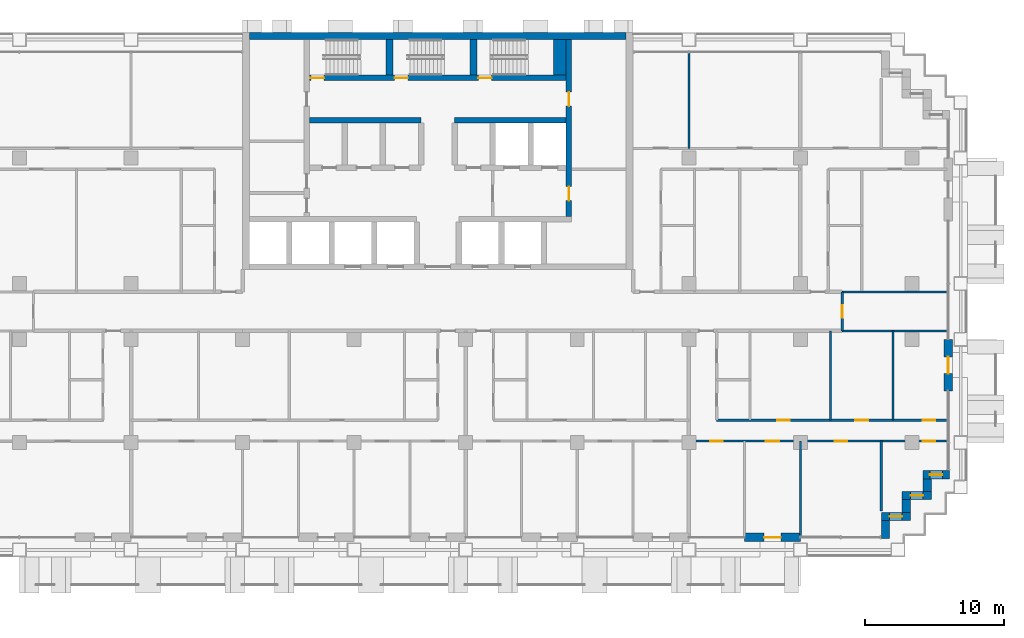
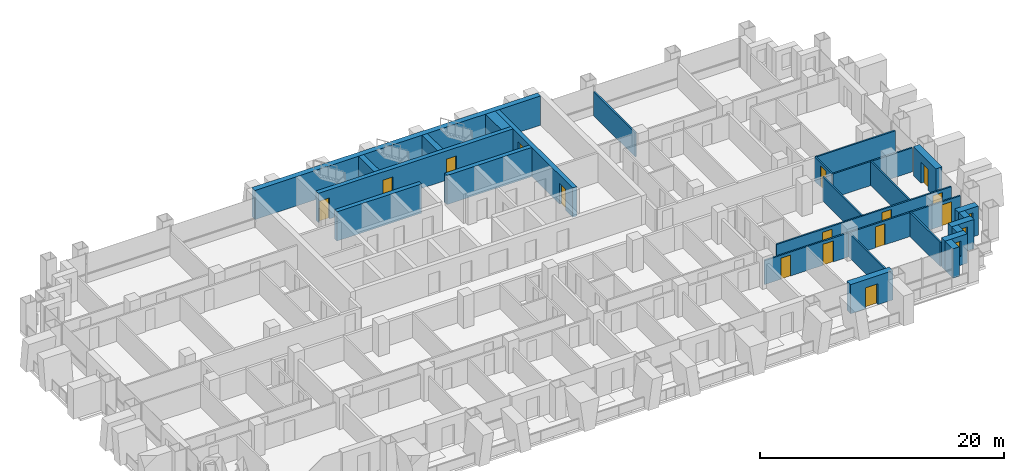
# One storey, part 13 of 18: 26 walls, 15 doors, 3 windows, 18 openings.
"""IFC4 building model written with IfcOpenShell, lengths in metres."""

from ifc_helpers import new_model, si_unit, direction, frame, frame_2d, origin, place, context, subcontext, project, spatial, rectangle, extrude, material, layer, layer_set, type_object, element, fill, save


model = new_model("IFC4")

# Units and contexts
model_context = context("Model", 3, precision=1e-05, world=origin(), true_north=direction((0.0, 1.0)))
body_context = subcontext(model_context, "Body", "Model", "MODEL_VIEW")
ifc_project = project(units=[si_unit("LENGTHUNIT", "METRE"), si_unit("AREAUNIT", "SQUARE_METRE"), si_unit("VOLUMEUNIT", "CUBIC_METRE"), si_unit("PLANEANGLEUNIT", "RADIAN"), si_unit("MASSUNIT", "GRAM", prefix="KILO")], contexts=[model_context])

# Site, building, storey
site_placement = place(None, origin())
site = spatial("IfcSite", under=ifc_project, at=site_placement, CompositionType="ELEMENT")
building_placement = place(site_placement, origin())
building = spatial("IfcBuilding", under=site, at=building_placement, Name="Vidyagriha Tower", CompositionType="ELEMENT")
storey_placement = place(building_placement, frame((0.0, 0.0, 41.60009765625)))
storey = spatial("IfcBuildingStorey", under=building, at=storey_placement, Name="L10", CompositionType="ELEMENT", Elevation=41.60009765625)

# Wall, opening, door
ifc_material_1 = material(Name="Precast concrete C40/50 with brick facing", Category="concrete")
ifc_layer_1 = layer(ifc_material_1, 0.60009765625)
ifc_layer_set_1 = layer_set([ifc_layer_1], Name="Precast concrete C40/50 with brick facing")
wall_type_1 = type_object("IfcWallType", Name="Brick-faced precast wall 600", PredefinedType="STANDARD", material=ifc_layer_set_1)
wall_1_placement = place(storey_placement, frame((22.0, -16.199951171875, 0.0)))
wall_1 = element("IfcWall", 1, at=wall_1_placement, inside=storey, type_object=wall_type_1, Name="Brick door bay wall L10 R23.15", PredefinedType="STANDARD", context=body_context, shape_type="SweptSolid", body=[
    extrude(rectangle(XDim=4.0, YDim=0.60009765625, at=frame_2d((2.0, 0.0))), origin(), (0.0, 0.0, 1.0), 2.919921875),
])
opening_1_placement = place(wall_1_placement, frame((1.39990234375, 0.0, 0.0)))
opening_1 = element("IfcOpeningElement", 2, at=opening_1_placement, cuts=wall_1, Name="Opening D10-85", PredefinedType="OPENING", context=body_context, shape_type="SweptSolid", body=[
    extrude(rectangle(XDim=1.199951171875, YDim=2.10009765625, at=frame_2d((0.60009765625, 1.050048828125))), frame((0.0, 0.31005859375, 0.0), z_axis=(0.0, -1.0, 0.0), x_axis=(1.0, 0.0, 0.0)), (0.0, 0.0, 1.0), 0.6201171875),
])
ifc_material_2 = material(Name="Aluminium framed glazed sliding door", Category="aluminium")
door_type_1 = type_object("IfcDoorType", Name="Balcony sliding door 1200x2100", OperationType="NOTDEFINED", PredefinedType="DOOR", material=ifc_material_2)
door_1_placement = place(opening_1_placement, origin())
door_1 = element("IfcDoor", 3, at=door_1_placement, inside=storey, type_object=door_type_1, Name="Door D10-85", OperationType="SLIDING_TO_LEFT", OverallHeight=2.10009765625, OverallWidth=1.199951171875, PredefinedType="DOOR", context=body_context, shape_type="SweptSolid", body=[
    extrude(rectangle(XDim=1.199951171875, YDim=2.10009765625, at=frame_2d((0.60009765625, 1.050048828125))), frame((0.0, 0.02490234375, 0.0), z_axis=(0.0, -1.0, 0.0), x_axis=(1.0, 0.0, 0.0)), (0.0, 0.0, 1.0), 0.050048828125),
])
fill(opening_1, door_1)

# Wall
wall_2_placement = place(storey_placement, frame((32.10009765625, -16.280029296875, 0.0), z_axis=(0.0, 0.0, 1.0), x_axis=(0.0, 1.0, 0.0)))
element("IfcWall", 4, at=wall_2_placement, inside=storey, type_object=wall_type_1, Name="Stepped corner wall L10 R24", PredefinedType="STANDARD", context=body_context, shape_type="SweptSolid", body=[
    extrude(rectangle(XDim=1.280029296875, YDim=0.60009765625, at=frame_2d((0.64013671875, 0.0))), origin(), (0.0, 0.0, 1.0), 2.919921875),
])

# Wall, opening, window
wall_3_placement = place(storey_placement, frame((31.800048828125, -14.699951171875, 0.0)))
wall_3 = element("IfcWall", 5, at=wall_3_placement, inside=storey, type_object=wall_type_1, Name="Stepped corner wall L10 R25", PredefinedType="STANDARD", context=body_context, shape_type="SweptSolid", body=[
    extrude(rectangle(XDim=2.099853515625, YDim=0.60009765625, at=frame_2d((1.0498046875, 0.0))), origin(), (0.0, 0.0, 1.0), 2.919921875),
])
opening_2_placement = place(wall_3_placement, frame((0.60009765625, 0.0, 0.89990234375)))
opening_2 = element("IfcOpeningElement", 6, at=opening_2_placement, cuts=wall_3, Name="Opening WN1", PredefinedType="OPENING", context=body_context, shape_type="SweptSolid", body=[
    extrude(rectangle(XDim=0.89990234375, YDim=1.5, at=frame_2d((0.449951171875, 0.75))), frame((0.0, 0.31005859375, 0.0), z_axis=(0.0, -1.0, 0.0), x_axis=(1.0, 0.0, 0.0)), (0.0, 0.0, 1.0), 0.6201171875),
])
ifc_material_3 = material(Name="Aluminium and glass window", Category="aluminium")
window_type = type_object("IfcWindowType", Name="Reveal window 900x1500", PartitioningType="NOTDEFINED", PredefinedType="WINDOW", material=ifc_material_3)
window_1_placement = place(opening_2_placement, origin())
window_1 = element("IfcWindow", 7, at=window_1_placement, inside=storey, type_object=window_type, Name="Reveal window L10 R25", OverallHeight=1.5, OverallWidth=0.89990234375, PartitioningType="SINGLE_PANEL", PredefinedType="WINDOW", context=body_context, shape_type="SweptSolid", body=[
    extrude(rectangle(XDim=0.89990234375, YDim=1.5, at=frame_2d((0.449951171875, 0.75))), frame((0.0, 0.030029296875, 0.0), z_axis=(0.0, -1.0, 0.0), x_axis=(1.0, 0.0, 0.0)), (0.0, 0.0, 1.0), 0.06005859375),
])
fill(opening_2, window_1)

# Wall
wall_4_placement = place(storey_placement, frame((33.60009765625, -14.39990234375, 0.0), z_axis=(0.0, 0.0, 1.0), x_axis=(0.0, 1.0, 0.0)))
element("IfcWall", 8, at=wall_4_placement, inside=storey, type_object=wall_type_1, Name="Stepped corner wall L10 R26", PredefinedType="STANDARD", context=body_context, shape_type="SweptSolid", body=[
    extrude(rectangle(XDim=0.89990234375, YDim=0.60009765625, at=frame_2d((0.449951171875, 0.0))), origin(), (0.0, 0.0, 1.0), 2.919921875),
])

# Wall, opening, window
wall_5_placement = place(storey_placement, frame((33.300048828125, -13.199951171875, 0.0)))
wall_5 = element("IfcWall", 9, at=wall_5_placement, inside=storey, type_object=wall_type_1, Name="Stepped corner wall L10 R27", PredefinedType="STANDARD", context=body_context, shape_type="SweptSolid", body=[
    extrude(rectangle(XDim=2.099853515625, YDim=0.60009765625, at=frame_2d((1.0498046875, 0.0))), origin(), (0.0, 0.0, 1.0), 2.919921875),
])
opening_3_placement = place(wall_5_placement, frame((0.60009765625, 0.0, 0.89990234375)))
opening_3 = element("IfcOpeningElement", 10, at=opening_3_placement, cuts=wall_5, Name="Opening WN1", PredefinedType="OPENING", context=body_context, shape_type="SweptSolid", body=[
    extrude(rectangle(XDim=0.89990234375, YDim=1.5, at=frame_2d((0.449951171875, 0.75))), frame((0.0, 0.31005859375, 0.0), z_axis=(0.0, -1.0, 0.0), x_axis=(1.0, 0.0, 0.0)), (0.0, 0.0, 1.0), 0.6201171875),
])
window_2_placement = place(opening_3_placement, origin())
window_2 = element("IfcWindow", 11, at=window_2_placement, inside=storey, type_object=window_type, Name="Reveal window L10 R27", OverallHeight=1.5, OverallWidth=0.89990234375, PartitioningType="SINGLE_PANEL", PredefinedType="WINDOW", context=body_context, shape_type="SweptSolid", body=[
    extrude(rectangle(XDim=0.89990234375, YDim=1.5, at=frame_2d((0.449951171875, 0.75))), frame((0.0, 0.030029296875, 0.0), z_axis=(0.0, -1.0, 0.0), x_axis=(1.0, 0.0, 0.0)), (0.0, 0.0, 1.0), 0.06005859375),
])
fill(opening_3, window_2)

# Wall
wall_6_placement = place(storey_placement, frame((35.10009765625, -12.89990234375, 0.0), z_axis=(0.0, 0.0, 1.0), x_axis=(0.0, 1.0, 0.0)))
element("IfcWall", 12, at=wall_6_placement, inside=storey, type_object=wall_type_1, Name="Stepped corner wall L10 R28", PredefinedType="STANDARD", context=body_context, shape_type="SweptSolid", body=[
    extrude(rectangle(XDim=0.89990234375, YDim=0.60009765625, at=frame_2d((0.449951171875, 0.0))), origin(), (0.0, 0.0, 1.0), 2.919921875),
])

# Wall, opening, window
wall_7_placement = place(storey_placement, frame((34.800048828125, -11.699951171875, 0.0)))
wall_7 = element("IfcWall", 13, at=wall_7_placement, inside=storey, type_object=wall_type_1, Name="Stepped corner wall L10 R29", PredefinedType="STANDARD", context=body_context, shape_type="SweptSolid", body=[
    extrude(rectangle(XDim=1.8798828125, YDim=0.60009765625, at=frame_2d((0.93994140625, 0.0))), origin(), (0.0, 0.0, 1.0), 2.919921875),
])
opening_4_placement = place(wall_7_placement, frame((0.489990234375, 0.0, 0.89990234375)))
opening_4 = element("IfcOpeningElement", 14, at=opening_4_placement, cuts=wall_7, Name="Opening WN1", PredefinedType="OPENING", context=body_context, shape_type="SweptSolid", body=[
    extrude(rectangle(XDim=0.89990234375, YDim=1.5, at=frame_2d((0.449951171875, 0.75))), frame((0.0, 0.31005859375, 0.0), z_axis=(0.0, -1.0, 0.0), x_axis=(1.0, 0.0, 0.0)), (0.0, 0.0, 1.0), 0.6201171875),
])
window_3_placement = place(opening_4_placement, origin())
window_3 = element("IfcWindow", 15, at=window_3_placement, inside=storey, type_object=window_type, Name="Reveal window L10 R29", OverallHeight=1.5, OverallWidth=0.89990234375, PartitioningType="SINGLE_PANEL", PredefinedType="WINDOW", context=body_context, shape_type="SweptSolid", body=[
    extrude(rectangle(XDim=0.89990234375, YDim=1.5, at=frame_2d((0.449951171875, 0.75))), frame((0.0, 0.030029296875, 0.0), z_axis=(0.0, -1.0, 0.0), x_axis=(1.0, 0.0, 0.0)), (0.0, 0.0, 1.0), 0.06005859375),
])
fill(opening_4, window_3)

# Wall, opening, door
wall_8_placement = place(storey_placement, frame((36.60009765625, -5.699951171875, 0.0), z_axis=(0.0, 0.0, 1.0), x_axis=(0.0, 1.0, 0.0)))
wall_8 = element("IfcWall", 16, at=wall_8_placement, inside=storey, type_object=wall_type_1, Name="Brick door bay wall L10 R30.3", PredefinedType="STANDARD", context=body_context, shape_type="SweptSolid", body=[
    extrude(rectangle(XDim=3.699951171875, YDim=0.60009765625, at=frame_2d((1.85009765625, 0.0))), origin(), (0.0, 0.0, 1.0), 2.919921875),
])
opening_5_placement = place(wall_8_placement, frame((1.25, 0.0, 0.0)))
opening_5 = element("IfcOpeningElement", 17, at=opening_5_placement, cuts=wall_8, Name="Opening D10-86", PredefinedType="OPENING", context=body_context, shape_type="SweptSolid", body=[
    extrude(rectangle(XDim=1.199951171875, YDim=2.10009765625, at=frame_2d((0.60009765625, 1.050048828125))), frame((0.0, 0.31005859375, 0.0), z_axis=(0.0, -1.0, 0.0), x_axis=(1.0, 0.0, 0.0)), (0.0, 0.0, 1.0), 0.6201171875),
])
door_2_placement = place(opening_5_placement, origin())
door_2 = element("IfcDoor", 18, at=door_2_placement, inside=storey, type_object=door_type_1, Name="Door D10-86", OperationType="SLIDING_TO_LEFT", OverallHeight=2.10009765625, OverallWidth=1.199951171875, PredefinedType="DOOR", context=body_context, shape_type="SweptSolid", body=[
    extrude(rectangle(XDim=1.199951171875, YDim=2.10009765625, at=frame_2d((0.60009765625, 1.050048828125))), frame((0.0, 0.02490234375, 0.0), z_axis=(0.0, -1.0, 0.0), x_axis=(1.0, 0.0, 0.0)), (0.0, 0.0, 1.0), 0.050048828125),
])
fill(opening_5, door_2)

# Wall, openings, doors
ifc_material_4 = material(Name="Concrete C60/75", Category="concrete")
ifc_layer_2 = layer(ifc_material_4, 0.39990234375)
ifc_layer_set_2 = layer_set([ifc_layer_2], Name="Concrete C60/75")
wall_type_2 = type_object("IfcWallType", Name="Core shear wall 400 mm", PredefinedType="SHEAR", material=ifc_layer_set_2)
wall_9_placement = place(storey_placement, frame((9.39990234375, 6.800048828125, 0.0), z_axis=(0.0, 0.0, 1.0), x_axis=(0.0, 1.0, 0.0)))
wall_9 = element("IfcWall", 19, at=wall_9_placement, inside=storey, type_object=wall_type_2, Name="Core east spine wall", PredefinedType="SHEAR", context=body_context, shape_type="SweptSolid", body=[
    extrude(rectangle(XDim=12.699951171875, YDim=0.39990234375, at=frame_2d((6.35009765625, 0.0))), origin(), (0.0, 0.0, 1.0), 2.919921875),
])
opening_6_placement = place(wall_9_placement, frame((1.14990234375, 0.0, 0.0)))
opening_6 = element("IfcOpeningElement", 20, at=opening_6_placement, cuts=wall_9, Name="Opening D10-13", PredefinedType="OPENING", context=body_context, shape_type="SweptSolid", body=[
    extrude(rectangle(XDim=1.0, YDim=2.10009765625, at=frame_2d((0.5, 1.050048828125))), frame((0.0, 0.2099609375, 0.0), z_axis=(0.0, -1.0, 0.0), x_axis=(1.0, 0.0, 0.0)), (0.0, 0.0, 1.0), 0.419921875),
])
opening_7_placement = place(wall_9_placement, frame((7.925048828125, 0.0, 0.0)))
opening_7 = element("IfcOpeningElement", 21, at=opening_7_placement, cuts=wall_9, Name="Opening D10-14", PredefinedType="OPENING", context=body_context, shape_type="SweptSolid", body=[
    extrude(rectangle(XDim=1.0, YDim=2.10009765625, at=frame_2d((0.5, 1.050048828125))), frame((0.0, 0.2099609375, 0.0), z_axis=(0.0, -1.0, 0.0), x_axis=(1.0, 0.0, 0.0)), (0.0, 0.0, 1.0), 0.419921875),
])
ifc_material_5 = material(Name="Hollow metal door leaf")
door_type_2 = type_object("IfcDoorType", Name="Core room door 1000 x 2100 mm EI 60", OperationType="NOTDEFINED", PredefinedType="DOOR", material=ifc_material_5)
door_3_placement = place(opening_6_placement, origin())
door_3 = element("IfcDoor", 22, at=door_3_placement, inside=storey, type_object=door_type_2, Name="Door Pressurisation Plant Room 10.E1", OperationType="SINGLE_SWING_RIGHT", OverallHeight=2.10009765625, OverallWidth=1.0, PredefinedType="DOOR", context=body_context, shape_type="SweptSolid", body=[
    extrude(rectangle(XDim=1.0, YDim=2.10009765625, at=frame_2d((0.5, 1.050048828125))), frame((0.0, 0.02490234375, 0.0), z_axis=(0.0, -1.0, 0.0), x_axis=(1.0, 0.0, 0.0)), (0.0, 0.0, 1.0), 0.050048828125),
])
fill(opening_6, door_3)
door_4_placement = place(opening_7_placement, origin())
door_4 = element("IfcDoor", 23, at=door_4_placement, inside=storey, type_object=door_type_2, Name="Door Storage Room 10.E2", OperationType="SINGLE_SWING_LEFT", OverallHeight=2.10009765625, OverallWidth=1.0, PredefinedType="DOOR", context=body_context, shape_type="SweptSolid", body=[
    extrude(rectangle(XDim=1.0, YDim=2.10009765625, at=frame_2d((0.5, 1.050048828125))), frame((0.0, 0.02490234375, 0.0), z_axis=(0.0, -1.0, 0.0), x_axis=(1.0, 0.0, 0.0)), (0.0, 0.0, 1.0), 0.050048828125),
])
fill(opening_7, door_4)

# Walls
for number, where, name in (
    (24, (-9.199951171875, 13.699951171875, 0.0), "Core row N rear wall"),
    (25, (1.199951171875, 13.699951171875, 0.0), "Core row N rear wall"),
):
    element("IfcWall", number, at=place(storey_placement, frame(where)), inside=storey, type_object=wall_type_2, Name=name, PredefinedType="SHEAR", context=body_context, shape_type="SweptSolid", body=[
        extrude(rectangle(XDim=8.0, YDim=0.39990234375, at=frame_2d((4.0, 0.0))), origin(), (0.0, 0.0, 1.0), 2.919921875),
    ])

# Wall, openings, doors
wall_10_placement = place(storey_placement, frame((-9.199951171875, 16.75, 0.0)))
wall_10 = element("IfcWall", 26, at=wall_10_placement, inside=storey, type_object=wall_type_2, Name="Stair front wall", PredefinedType="SHEAR", context=body_context, shape_type="SweptSolid", body=[
    extrude(rectangle(XDim=18.39990234375, YDim=0.39990234375, at=frame_2d((9.199951171875, 0.0))), origin(), (0.0, 0.0, 1.0), 2.919921875),
])
opening_8_placement = place(wall_10_placement, frame((0.10009765625, 0.0, 0.0)))
opening_8 = element("IfcOpeningElement", 27, at=opening_8_placement, cuts=wall_10, Name="Opening D10-07", PredefinedType="OPENING", context=body_context, shape_type="SweptSolid", body=[
    extrude(rectangle(XDim=0.949951171875, YDim=2.10009765625, at=frame_2d((0.47509765625, 1.050048828125))), frame((0.0, 0.2099609375, 0.0), z_axis=(0.0, -1.0, 0.0), x_axis=(1.0, 0.0, 0.0)), (0.0, 0.0, 1.0), 0.419921875),
])
opening_9_placement = place(wall_10_placement, frame((6.10009765625, 0.0, 0.0)))
opening_9 = element("IfcOpeningElement", 28, at=opening_9_placement, cuts=wall_10, Name="Opening D10-08", PredefinedType="OPENING", context=body_context, shape_type="SweptSolid", body=[
    extrude(rectangle(XDim=0.949951171875, YDim=2.10009765625, at=frame_2d((0.47509765625, 1.050048828125))), frame((0.0, 0.2099609375, 0.0), z_axis=(0.0, -1.0, 0.0), x_axis=(1.0, 0.0, 0.0)), (0.0, 0.0, 1.0), 0.419921875),
])
opening_10_placement = place(wall_10_placement, frame((12.10009765625, 0.0, 0.0)))
opening_10 = element("IfcOpeningElement", 29, at=opening_10_placement, cuts=wall_10, Name="Opening D10-09", PredefinedType="OPENING", context=body_context, shape_type="SweptSolid", body=[
    extrude(rectangle(XDim=0.949951171875, YDim=2.10009765625, at=frame_2d((0.47509765625, 1.050048828125))), frame((0.0, 0.2099609375, 0.0), z_axis=(0.0, -1.0, 0.0), x_axis=(1.0, 0.0, 0.0)), (0.0, 0.0, 1.0), 0.419921875),
])
ifc_material_6 = material(Name="Hollow metal door leaf")
door_type_3 = type_object("IfcDoorType", Name="Exit stair door 950 x 2100 mm EI 90", OperationType="NOTDEFINED", PredefinedType="DOOR", material=ifc_material_6)
door_5_placement = place(opening_8_placement, origin())
door_5 = element("IfcDoor", 30, at=door_5_placement, inside=storey, type_object=door_type_3, Name="Stair door ST1 L10", OperationType="SINGLE_SWING_LEFT", OverallHeight=2.10009765625, OverallWidth=0.949951171875, PredefinedType="DOOR", context=body_context, shape_type="SweptSolid", body=[
    extrude(rectangle(XDim=0.949951171875, YDim=2.10009765625, at=frame_2d((0.47509765625, 1.050048828125))), frame((0.0, 0.02490234375, 0.0), z_axis=(0.0, -1.0, 0.0), x_axis=(1.0, 0.0, 0.0)), (0.0, 0.0, 1.0), 0.050048828125),
])
fill(opening_8, door_5)
door_6_placement = place(opening_9_placement, origin())
door_6 = element("IfcDoor", 31, at=door_6_placement, inside=storey, type_object=door_type_3, Name="Stair door ST2 L10", OperationType="SINGLE_SWING_LEFT", OverallHeight=2.10009765625, OverallWidth=0.949951171875, PredefinedType="DOOR", context=body_context, shape_type="SweptSolid", body=[
    extrude(rectangle(XDim=0.949951171875, YDim=2.10009765625, at=frame_2d((0.47509765625, 1.050048828125))), frame((0.0, 0.02490234375, 0.0), z_axis=(0.0, -1.0, 0.0), x_axis=(1.0, 0.0, 0.0)), (0.0, 0.0, 1.0), 0.050048828125),
])
fill(opening_9, door_6)
door_7_placement = place(opening_10_placement, origin())
door_7 = element("IfcDoor", 32, at=door_7_placement, inside=storey, type_object=door_type_3, Name="Stair door ST3 L10", OperationType="SINGLE_SWING_LEFT", OverallHeight=2.10009765625, OverallWidth=0.949951171875, PredefinedType="DOOR", context=body_context, shape_type="SweptSolid", body=[
    extrude(rectangle(XDim=0.949951171875, YDim=2.10009765625, at=frame_2d((0.47509765625, 1.050048828125))), frame((0.0, 0.02490234375, 0.0), z_axis=(0.0, -1.0, 0.0), x_axis=(1.0, 0.0, 0.0)), (0.0, 0.0, 1.0), 0.050048828125),
])
fill(opening_10, door_7)

# Walls
ifc_material_7 = material(Name="Concrete C60/75", Category="concrete")
ifc_layer_3 = layer(ifc_material_7, 0.5)
ifc_layer_set_3 = layer_set([ifc_layer_3], Name="Concrete C60/75")
wall_type_3 = type_object("IfcWallType", Name="Core shear wall 500 mm", PredefinedType="SHEAR", material=ifc_layer_set_3)
wall_11_placement = place(storey_placement, frame((-13.5, 19.75, 0.0)))
element("IfcWall", 33, at=wall_11_placement, inside=storey, type_object=wall_type_3, Name="Core north wall", PredefinedType="SHEAR", context=body_context, shape_type="SweptSolid", body=[
    extrude(rectangle(XDim=27.0, YDim=0.5, at=frame_2d((13.5, 0.0))), origin(), (0.0, 0.0, 1.0), 2.919921875),
])
for number, where, z_axis, x_axis, name in (
    (34, (-3.449951171875, 16.949951171875, 0.0), (0.0, 0.0, 1.0), (0.0, 1.0, 0.0), "Stair partition wall 1"),
    (35, (2.550048828125, 16.949951171875, 0.0), (0.0, 0.0, 1.0), (0.0, 1.0, 0.0), "Stair partition wall 2"),
):
    element("IfcWall", number, at=place(storey_placement, frame(where, z_axis=z_axis, x_axis=x_axis)), inside=storey, type_object=wall_type_3, Name=name, PredefinedType="SHEAR", context=body_context, shape_type="SweptSolid", body=[
        extrude(rectangle(XDim=2.550048828125, YDim=0.5, at=frame_2d((1.27490234375, 0.0))), origin(), (0.0, 0.0, 1.0), 2.919921875),
    ])
ifc_material_8 = material(Name="Concrete C60/75", Category="concrete")
ifc_layer_4 = layer(ifc_material_8, 0.89990234375)
ifc_layer_set_4 = layer_set([ifc_layer_4], Name="Concrete C60/75")
wall_type_4 = type_object("IfcWallType", Name="Core shear wall 900 mm", PredefinedType="SHEAR", material=ifc_layer_set_4)
wall_12_placement = place(storey_placement, frame((8.75, 16.949951171875, 0.0), z_axis=(0.0, 0.0, 1.0), x_axis=(0.0, 1.0, 0.0)))
element("IfcWall", 36, at=wall_12_placement, inside=storey, type_object=wall_type_4, Name="Stair end wall", PredefinedType="SHEAR", context=body_context, shape_type="SweptSolid", body=[
    extrude(rectangle(XDim=2.550048828125, YDim=0.89990234375, at=frame_2d((1.27490234375, 0.0))), origin(), (0.0, 0.0, 1.0), 2.919921875),
])
ifc_material_9 = material(Name="Gypsum board partition")
ifc_layer_5 = layer(ifc_material_9, 0.14990234375)
ifc_layer_set_5 = layer_set([ifc_layer_5], Name="Gypsum board partition")
wall_type_5 = type_object("IfcWallType", Name="Gypsum board partition 150", PredefinedType="PARTITIONING", material=ifc_layer_set_5)
for number, where, z_axis, x_axis, name in (
    (37, (28.14990234375, -1.39990234375, 0.0), (0.0, 0.0, 1.0), (0.0, -1.0, 0.0), "Wall all-L10-w064"),
    (38, (32.64990234375, -1.39990234375, 0.0), (0.0, 0.0, 1.0), (0.0, -1.0, 0.0), "Wall all-L10-w065"),
):
    element("IfcWall", number, at=place(storey_placement, frame(where, z_axis=z_axis, x_axis=x_axis)), inside=storey, type_object=wall_type_5, Name=name, PredefinedType="PARTITIONING", context=body_context, shape_type="SweptSolid", body=[
        extrude(rectangle(XDim=6.400146484375, YDim=0.14990234375, at=frame_2d((3.2001953125, 0.0))), origin(), (0.0, 0.0, 1.0), 2.39990234375),
    ])

# Wall, openings, doors
wall_13_placement = place(storey_placement, frame((20.0, -7.800048828125, 0.0)))
wall_13 = element("IfcWall", 39, at=wall_13_placement, inside=storey, type_object=wall_type_5, Name="Wall all-L10-w066", PredefinedType="PARTITIONING", context=body_context, shape_type="SweptSolid", body=[
    extrude(rectangle(XDim=16.52001953125, YDim=0.14990234375, at=frame_2d((8.260009765625, 0.0))), origin(), (0.0, 0.0, 1.0), 2.39990234375),
])
opening_11_placement = place(wall_13_placement, frame((4.340087890625, 0.0, 0.0)))
opening_11 = element("IfcOpeningElement", 40, at=opening_11_placement, cuts=wall_13, Name="Opening D10-45", PredefinedType="OPENING", context=body_context, shape_type="SweptSolid", body=[
    extrude(rectangle(XDim=0.89990234375, YDim=2.10009765625, at=frame_2d((0.449951171875, 1.050048828125))), frame((0.0, 0.0849609375, 0.0), z_axis=(0.0, -1.0, 0.0), x_axis=(1.0, 0.0, 0.0)), (0.0, 0.0, 1.0), 0.169921875),
])
opening_12_placement = place(wall_13_placement, frame((9.949951171875, 0.0, 0.0)))
opening_12 = element("IfcOpeningElement", 41, at=opening_12_placement, cuts=wall_13, Name="Opening D10-46", PredefinedType="OPENING", context=body_context, shape_type="SweptSolid", body=[
    extrude(rectangle(XDim=0.89990234375, YDim=2.10009765625, at=frame_2d((0.449951171875, 1.050048828125))), frame((0.0, 0.0849609375, 0.0), z_axis=(0.0, -1.0, 0.0), x_axis=(1.0, 0.0, 0.0)), (0.0, 0.0, 1.0), 0.169921875),
])
opening_13_placement = place(wall_13_placement, frame((14.760009765625, 0.0, 0.0)))
opening_13 = element("IfcOpeningElement", 42, at=opening_13_placement, cuts=wall_13, Name="Opening D10-47", PredefinedType="OPENING", context=body_context, shape_type="SweptSolid", body=[
    extrude(rectangle(XDim=0.89990234375, YDim=2.10009765625, at=frame_2d((0.449951171875, 1.050048828125))), frame((0.0, 0.0849609375, 0.0), z_axis=(0.0, -1.0, 0.0), x_axis=(1.0, 0.0, 0.0)), (0.0, 0.0, 1.0), 0.169921875),
])
ifc_material_10 = material(Name="Timber door leaf", Category="wood")
door_type_4 = type_object("IfcDoorType", Name="Room door 900x2100", OperationType="NOTDEFINED", PredefinedType="DOOR", material=ifc_material_10)
door_8_placement = place(opening_11_placement, origin())
door_8 = element("IfcDoor", 43, at=door_8_placement, inside=storey, type_object=door_type_4, Name="Door D10-45", OperationType="SINGLE_SWING_LEFT", OverallHeight=2.10009765625, OverallWidth=0.89990234375, PredefinedType="DOOR", context=body_context, shape_type="SweptSolid", body=[
    extrude(rectangle(XDim=0.89990234375, YDim=2.10009765625, at=frame_2d((0.449951171875, 1.050048828125))), frame((0.0, 0.02490234375, 0.0), z_axis=(0.0, -1.0, 0.0), x_axis=(1.0, 0.0, 0.0)), (0.0, 0.0, 1.0), 0.050048828125),
])
fill(opening_11, door_8)
door_9_placement = place(opening_12_placement, origin())
door_9 = element("IfcDoor", 44, at=door_9_placement, inside=storey, type_object=door_type_4, Name="Door D10-46", OperationType="SINGLE_SWING_RIGHT", OverallHeight=2.10009765625, OverallWidth=0.89990234375, PredefinedType="DOOR", context=body_context, shape_type="SweptSolid", body=[
    extrude(rectangle(XDim=0.89990234375, YDim=2.10009765625, at=frame_2d((0.449951171875, 1.050048828125))), frame((0.0, 0.02490234375, 0.0), z_axis=(0.0, -1.0, 0.0), x_axis=(1.0, 0.0, 0.0)), (0.0, 0.0, 1.0), 0.050048828125),
])
fill(opening_12, door_9)
door_10_placement = place(opening_13_placement, origin())
door_10 = element("IfcDoor", 45, at=door_10_placement, inside=storey, type_object=door_type_4, Name="Door D10-47", OperationType="SINGLE_SWING_RIGHT", OverallHeight=2.10009765625, OverallWidth=0.89990234375, PredefinedType="DOOR", context=body_context, shape_type="SweptSolid", body=[
    extrude(rectangle(XDim=0.89990234375, YDim=2.10009765625, at=frame_2d((0.449951171875, 1.050048828125))), frame((0.0, 0.02490234375, 0.0), z_axis=(0.0, -1.0, 0.0), x_axis=(1.0, 0.0, 0.0)), (0.0, 0.0, 1.0), 0.050048828125),
])
fill(opening_13, door_10)

wall_14_placement = place(storey_placement, frame((36.52001953125, -9.300048828125, 0.0), z_axis=(0.0, 0.0, 1.0), x_axis=(-1.0, 0.0, 0.0)))
wall_14 = element("IfcWall", 46, at=wall_14_placement, inside=storey, type_object=wall_type_5, Name="Wall all-L10-w070", PredefinedType="PARTITIONING", context=body_context, shape_type="SweptSolid", body=[
    extrude(rectangle(XDim=18.52001953125, YDim=0.14990234375, at=frame_2d((9.260009765625, 0.0))), origin(), (0.0, 0.0, 1.0), 2.39990234375),
])
opening_14_placement = place(wall_14_placement, frame((16.070068359375, 0.0, 0.0)))
opening_14 = element("IfcOpeningElement", 47, at=opening_14_placement, cuts=wall_14, Name="Opening D10-48", PredefinedType="OPENING", context=body_context, shape_type="SweptSolid", body=[
    extrude(rectangle(XDim=0.89990234375, YDim=2.10009765625, at=frame_2d((0.449951171875, 1.050048828125))), frame((0.0, 0.0849609375, 0.0), z_axis=(0.0, -1.0, 0.0), x_axis=(1.0, 0.0, 0.0)), (0.0, 0.0, 1.0), 0.169921875),
])
opening_15_placement = place(wall_14_placement, frame((12.02001953125, 0.0, 0.0)))
opening_15 = element("IfcOpeningElement", 48, at=opening_15_placement, cuts=wall_14, Name="Opening D10-49", PredefinedType="OPENING", context=body_context, shape_type="SweptSolid", body=[
    extrude(rectangle(XDim=1.0, YDim=2.10009765625, at=frame_2d((0.5, 1.050048828125))), frame((0.0, 0.0849609375, 0.0), z_axis=(0.0, -1.0, 0.0), x_axis=(1.0, 0.0, 0.0)), (0.0, 0.0, 1.0), 0.169921875),
])
opening_16_placement = place(wall_14_placement, frame((7.169921875, 0.0, 0.0)))
opening_16 = element("IfcOpeningElement", 49, at=opening_16_placement, cuts=wall_14, Name="Opening D10-50", PredefinedType="OPENING", context=body_context, shape_type="SweptSolid", body=[
    extrude(rectangle(XDim=0.89990234375, YDim=2.10009765625, at=frame_2d((0.449951171875, 1.050048828125))), frame((0.0, 0.0849609375, 0.0), z_axis=(0.0, -1.0, 0.0), x_axis=(1.0, 0.0, 0.0)), (0.0, 0.0, 1.0), 0.169921875),
])
opening_17_placement = place(wall_14_placement, frame((0.860107421875, 0.0, 0.0)))
opening_17 = element("IfcOpeningElement", 50, at=opening_17_placement, cuts=wall_14, Name="Opening D10-51", PredefinedType="OPENING", context=body_context, shape_type="SweptSolid", body=[
    extrude(rectangle(XDim=0.89990234375, YDim=2.10009765625, at=frame_2d((0.449951171875, 1.050048828125))), frame((0.0, 0.0849609375, 0.0), z_axis=(0.0, -1.0, 0.0), x_axis=(1.0, 0.0, 0.0)), (0.0, 0.0, 1.0), 0.169921875),
])
ifc_material_11 = material(Name="Timber door leaf", Category="wood")
door_type_5 = type_object("IfcDoorType", Name="Room door 1000x2100", OperationType="NOTDEFINED", PredefinedType="DOOR", material=ifc_material_11)
door_11_placement = place(opening_15_placement, origin())
door_11 = element("IfcDoor", 51, at=door_11_placement, inside=storey, type_object=door_type_5, Name="Door D10-49", OperationType="SINGLE_SWING_RIGHT", OverallHeight=2.10009765625, OverallWidth=1.0, PredefinedType="DOOR", context=body_context, shape_type="SweptSolid", body=[
    extrude(rectangle(XDim=1.0, YDim=2.10009765625, at=frame_2d((0.5, 1.050048828125))), frame((0.0, 0.02490234375, 0.0), z_axis=(0.0, -1.0, 0.0), x_axis=(1.0, 0.0, 0.0)), (0.0, 0.0, 1.0), 0.050048828125),
])
fill(opening_15, door_11)
door_12_placement = place(opening_14_placement, origin())
door_12 = element("IfcDoor", 52, at=door_12_placement, inside=storey, type_object=door_type_4, Name="Door D10-48", OperationType="SINGLE_SWING_RIGHT", OverallHeight=2.10009765625, OverallWidth=0.89990234375, PredefinedType="DOOR", context=body_context, shape_type="SweptSolid", body=[
    extrude(rectangle(XDim=0.89990234375, YDim=2.10009765625, at=frame_2d((0.449951171875, 1.050048828125))), frame((0.0, 0.02490234375, 0.0), z_axis=(0.0, -1.0, 0.0), x_axis=(1.0, 0.0, 0.0)), (0.0, 0.0, 1.0), 0.050048828125),
])
fill(opening_14, door_12)
door_13_placement = place(opening_16_placement, origin())
door_13 = element("IfcDoor", 53, at=door_13_placement, inside=storey, type_object=door_type_4, Name="Door D10-50", OperationType="SINGLE_SWING_RIGHT", OverallHeight=2.10009765625, OverallWidth=0.89990234375, PredefinedType="DOOR", context=body_context, shape_type="SweptSolid", body=[
    extrude(rectangle(XDim=0.89990234375, YDim=2.10009765625, at=frame_2d((0.449951171875, 1.050048828125))), frame((0.0, 0.02490234375, 0.0), z_axis=(0.0, -1.0, 0.0), x_axis=(1.0, 0.0, 0.0)), (0.0, 0.0, 1.0), 0.050048828125),
])
fill(opening_16, door_13)
door_14_placement = place(opening_17_placement, origin())
door_14 = element("IfcDoor", 54, at=door_14_placement, inside=storey, type_object=door_type_4, Name="Door D10-51", OperationType="SINGLE_SWING_LEFT", OverallHeight=2.10009765625, OverallWidth=0.89990234375, PredefinedType="DOOR", context=body_context, shape_type="SweptSolid", body=[
    extrude(rectangle(XDim=0.89990234375, YDim=2.10009765625, at=frame_2d((0.449951171875, 1.050048828125))), frame((0.0, 0.02490234375, 0.0), z_axis=(0.0, -1.0, 0.0), x_axis=(1.0, 0.0, 0.0)), (0.0, 0.0, 1.0), 0.050048828125),
])
fill(opening_17, door_14)

# Walls
wall_15_placement = place(storey_placement, frame((26.0, -9.300048828125, 0.0), z_axis=(0.0, 0.0, 1.0), x_axis=(0.0, -1.0, 0.0)))
element("IfcWall", 55, at=wall_15_placement, inside=storey, type_object=wall_type_5, Name="Wall all-L10-w076", PredefinedType="PARTITIONING", context=body_context, shape_type="SweptSolid", body=[
    extrude(rectangle(XDim=6.81005859375, YDim=0.14990234375, at=frame_2d((3.405029296875, 0.0))), origin(), (0.0, 0.0, 1.0), 2.39990234375),
])
wall_16_placement = place(storey_placement, frame((31.800048828125, -9.300048828125, 0.0), z_axis=(0.0, 0.0, 1.0), x_axis=(0.0, -1.0, 0.0)))
element("IfcWall", 56, at=wall_16_placement, inside=storey, type_object=wall_type_5, Name="Wall all-L10-w077", PredefinedType="PARTITIONING", context=body_context, shape_type="SweptSolid", body=[
    extrude(rectangle(XDim=5.02001953125, YDim=0.14990234375, at=frame_2d((2.510009765625, 0.0))), origin(), (0.0, 0.0, 1.0), 2.39990234375),
])
wall_17_placement = place(storey_placement, frame((36.52001953125, -1.39990234375, 0.0), z_axis=(0.0, 0.0, 1.0), x_axis=(-1.0, 0.0, 0.0)))
element("IfcWall", 57, at=wall_17_placement, inside=storey, type_object=wall_type_5, Name="Wall all-L10-w083", PredefinedType="PARTITIONING", context=body_context, shape_type="SweptSolid", body=[
    extrude(rectangle(XDim=7.52001953125, YDim=0.14990234375, at=frame_2d((3.760009765625, 0.0))), origin(), (0.0, 0.0, 1.0), 2.39990234375),
])
wall_18_placement = place(storey_placement, frame((18.0, 18.52099609375, 0.0), z_axis=(0.0, 0.0, 1.0), x_axis=(0.0, -1.0, 0.0)))
element("IfcWall", 58, at=wall_18_placement, inside=storey, type_object=wall_type_5, Name="Wall all-L10-w116", PredefinedType="PARTITIONING", context=body_context, shape_type="SweptSolid", body=[
    extrude(rectangle(XDim=6.821044921875, YDim=0.14990234375, at=frame_2d((3.41064453125, 0.0))), origin(), (0.0, 0.0, 1.0), 2.39990234375),
])
wall_19_placement = place(storey_placement, frame((29.0, 1.39990234375, 0.0)))
element("IfcWall", 59, at=wall_19_placement, inside=storey, type_object=wall_type_5, Name="Wall all-L10-w132", PredefinedType="PARTITIONING", context=body_context, shape_type="SweptSolid", body=[
    extrude(rectangle(XDim=7.52001953125, YDim=0.14990234375, at=frame_2d((3.760009765625, 0.0))), origin(), (0.0, 0.0, 1.0), 2.39990234375),
])

# Wall, opening, door
wall_20_placement = place(storey_placement, frame((29.0, -1.39990234375, 0.0), z_axis=(0.0, 0.0, 1.0), x_axis=(0.0, 1.0, 0.0)))
wall_20 = element("IfcWall", 60, at=wall_20_placement, inside=storey, type_object=wall_type_5, Name="Wall all-L10-w135", PredefinedType="PARTITIONING", context=body_context, shape_type="SweptSolid", body=[
    extrude(rectangle(XDim=2.7998046875, YDim=0.14990234375, at=frame_2d((1.39990234375, 0.0))), origin(), (0.0, 0.0, 1.0), 2.39990234375),
])
opening_18_placement = place(wall_20_placement, frame((0.949951171875, 0.0, 0.0)))
opening_18 = element("IfcOpeningElement", 61, at=opening_18_placement, cuts=wall_20, Name="Opening D10-76", PredefinedType="OPENING", context=body_context, shape_type="SweptSolid", body=[
    extrude(rectangle(XDim=0.89990234375, YDim=2.10009765625, at=frame_2d((0.449951171875, 1.050048828125))), frame((0.0, 0.0849609375, 0.0), z_axis=(0.0, -1.0, 0.0), x_axis=(1.0, 0.0, 0.0)), (0.0, 0.0, 1.0), 0.169921875),
])
door_15_placement = place(opening_18_placement, origin())
door_15 = element("IfcDoor", 62, at=door_15_placement, inside=storey, type_object=door_type_4, Name="Door D10-76", OperationType="SINGLE_SWING_RIGHT", OverallHeight=2.10009765625, OverallWidth=0.89990234375, PredefinedType="DOOR", context=body_context, shape_type="SweptSolid", body=[
    extrude(rectangle(XDim=0.89990234375, YDim=2.10009765625, at=frame_2d((0.449951171875, 1.050048828125))), frame((0.0, 0.02490234375, 0.0), z_axis=(0.0, -1.0, 0.0), x_axis=(1.0, 0.0, 0.0)), (0.0, 0.0, 1.0), 0.050048828125),
])
fill(opening_18, door_15)

save(model, "model.ifc")
